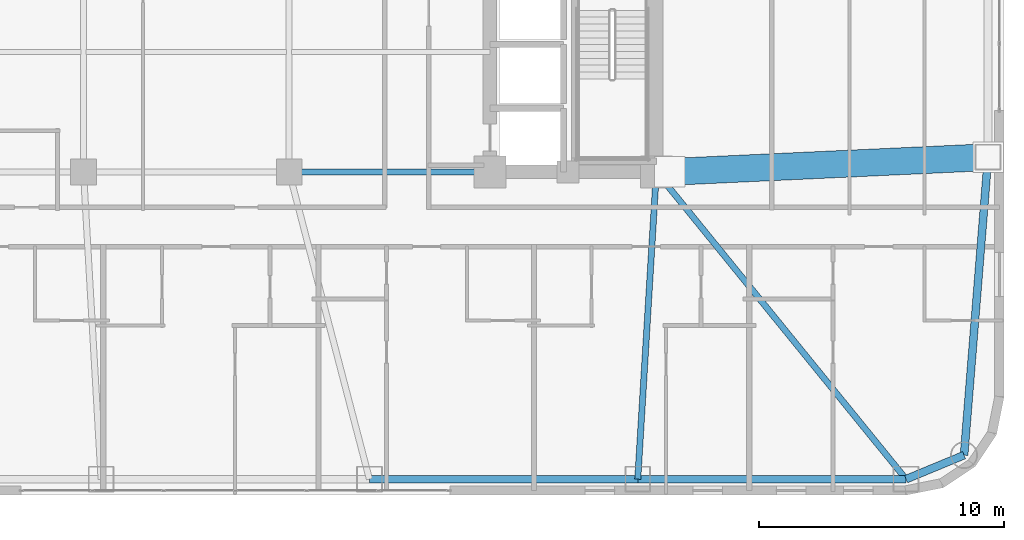
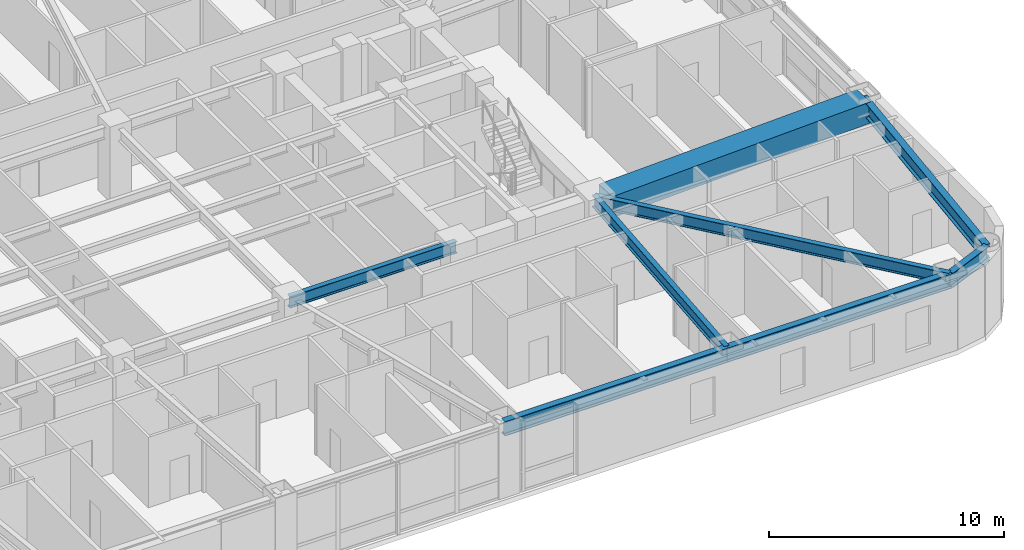
# One storey, part 11 of 28: 8 beams.
"""IFC4 building model written with IfcOpenShell, lengths in metres."""

import ifcopenshell
import ifcopenshell.guid

model = None  # the IFC model being written
_history = None  # IfcOwnerHistory: only IFC2X3 demands one
_inside = {}  # id of a spatial element -> (the spatial element, [elements in it])
_under = {}  # id of a project, library or spatial element -> (it, [spatial elements below it])
_declared = {}  # id of a project -> (the project, [libraries it declares])
_typed = {}  # id of a type object -> (the type object, [elements of that type])
_made_of = {}  # id of a material, layer set ... -> (it, [elements and type objects made of it])


def new_model(schema):
    """Start an empty IFC model of exactly this schema.

    Asked for "IFC4X3", IfcOpenShell would pick the latest addendum, in which some entities
    have other attributes; the version numbers below select the first issue.
    IFC2X3 requires an IfcOwnerHistory on every rooted entity: one is made here for all.
    """
    global model, _history
    if schema == "IFC4X3":
        model = ifcopenshell.file(schema_version=(4, 3, 0, 0))
    else:
        model = ifcopenshell.file(schema=schema)
    _inside.clear()
    _under.clear()
    _declared.clear()
    _typed.clear()
    _made_of.clear()
    _history = None
    if model.schema == "IFC2X3":
        org = make("IfcOrganization", Name="unknown")
        user = make(
            "IfcPersonAndOrganization",
            ThePerson=make("IfcPerson", FamilyName="unknown"),
            TheOrganization=org,
        )
        app = make(
            "IfcApplication",
            ApplicationDeveloper=org,
            Version="unknown",
            ApplicationFullName="unknown",
            ApplicationIdentifier="unknown",
        )
        _history = make(
            "IfcOwnerHistory",
            OwningUser=user,
            OwningApplication=app,
            ChangeAction="ADDED",
            CreationDate=0,
        )
    return model


def make(cls, **values):
    """One entity of the class cls with the attributes given. An attribute that is None is left unset."""
    return model.create_entity(
        cls, **{name: value for name, value in values.items() if value is not None}
    )


def rooted(cls, **values):
    """An entity with a GlobalId (a new one), such as an element, a storey or a relation."""
    return make(cls, GlobalId=ifcopenshell.guid.new(), OwnerHistory=_history, **values)


def si_unit(unit_type, name, prefix=None):
    """IfcSIUnit, for example si_unit("LENGTHUNIT", "METRE", prefix="MILLI")."""
    return make("IfcSIUnit", UnitType=unit_type, Prefix=prefix, Name=name)


def assignment(units):
    """IfcUnitAssignment: the units of a project."""
    return None if units is None else make("IfcUnitAssignment", Units=units)


def point(xyz):
    """IfcCartesianPoint."""
    return None if xyz is None else make("IfcCartesianPoint", Coordinates=xyz)


def direction(xyz):
    """IfcDirection."""
    return None if xyz is None else make("IfcDirection", DirectionRatios=xyz)


def frame(location, z_axis=None, x_axis=None):
    """IfcAxis2Placement3D, a coordinate frame: its origin and axes. An axis left out is left unset."""
    return make(
        "IfcAxis2Placement3D",
        Location=point(location),
        Axis=direction(z_axis),
        RefDirection=direction(x_axis),
    )


def frame_2d(location, x_axis=None):
    """IfcAxis2Placement2D, a coordinate frame in the plane: its origin and x axis."""
    return make(
        "IfcAxis2Placement2D", Location=point(location), RefDirection=direction(x_axis)
    )


def origin():
    """The frame at (0, 0, 0) with its axes left unset."""
    return frame((0.0, 0.0, 0.0))


def origin_2d():
    """The frame at (0, 0) in the plane with its x axis left unset."""
    return frame_2d((0.0, 0.0))


def place(relative_to, where):
    """IfcLocalPlacement: puts the frame where relative to a parent placement (None: the world)."""
    return make(
        "IfcLocalPlacement", PlacementRelTo=relative_to, RelativePlacement=where
    )


def context(
    kind, dimensions, precision=None, world=None, true_north=None, identifier=None
):
    """IfcGeometricRepresentationContext, for example the 3D "Model" context."""
    return make(
        "IfcGeometricRepresentationContext",
        ContextIdentifier=identifier,
        ContextType=kind,
        CoordinateSpaceDimension=dimensions,
        Precision=precision,
        WorldCoordinateSystem=world,
        TrueNorth=true_north,
    )


def subcontext(parent, identifier, kind, view, scale=None):
    """IfcGeometricRepresentationSubContext, for example "Body" below "Model"."""
    return make(
        "IfcGeometricRepresentationSubContext",
        ContextIdentifier=identifier,
        ContextType=kind,
        ParentContext=parent,
        TargetScale=scale,
        TargetView=view,
    )


def project(units=None, contexts=None):
    """IfcProject with its units and contexts."""
    return rooted(
        "IfcProject",
        Name="project",
        RepresentationContexts=contexts,
        UnitsInContext=assignment(units),
    )


def spatial(cls, under=None, at=None, **own):
    """A site, building, storey or space (cls), placed at a placement, below another one or the project."""
    s = rooted(cls, ObjectPlacement=at, **own)
    if under is not None:
        _under.setdefault(under.id(), (under, []))[1].append(s)
    return s


def profile(cls, at=None, kind="AREA", **sizes):
    """A parametric profile (cls). Its sizes go by their IFC names, for example OverallWidth=200.0."""
    return make(cls, ProfileType=kind, Position=at, **sizes)


def hollow_rectangle(**sizes):
    """IfcRectangleHollowProfileDef."""
    return profile("IfcRectangleHollowProfileDef", **sizes)


def i_section(**sizes):
    """IfcIShapeProfileDef."""
    return profile("IfcIShapeProfileDef", **sizes)


def extrude(swept, where, along, depth):
    """IfcExtrudedAreaSolid: the profile swept, set in the frame where, extruded along a direction by depth."""
    return make(
        "IfcExtrudedAreaSolid",
        SweptArea=swept,
        Position=where,
        ExtrudedDirection=direction(along),
        Depth=depth,
    )


def shape(context_of_items, identifier, shape_type, items):
    """IfcShapeRepresentation: the items that make up one representation, for example the "Body"."""
    return make(
        "IfcShapeRepresentation",
        ContextOfItems=context_of_items,
        RepresentationIdentifier=identifier,
        RepresentationType=shape_type,
        Items=items,
    )


def material(Name=None, Category=None):
    """IfcMaterial."""
    return make("IfcMaterial", Name=Name, Category=Category)


def material_profile(
    of_material, cross_section, Name=None, Category=None, Priority=None
):
    """IfcMaterialProfile: a cross section and its material."""
    return make(
        "IfcMaterialProfile",
        Name=Name,
        Material=of_material,
        Profile=cross_section,
        Priority=Priority,
        Category=Category,
    )


def profile_set(profiles, Name=None, composite=None):
    """IfcMaterialProfileSet."""
    return make(
        "IfcMaterialProfileSet",
        Name=Name,
        MaterialProfiles=profiles,
        CompositeProfile=composite,
    )


def made_of(thing, what):
    """Note that an element or type object is made of a material, layer set ...; save() writes the relation."""
    if what is not None:
        _made_of.setdefault(what.id(), (what, []))[1].append(thing)
    return thing


def type_object(cls, material=None, **own):
    """A type object (cls), such as IfcWallType, which elements share."""
    return made_of(rooted(cls, **own), material)


def element(
    cls,
    number,
    at=None,
    inside=None,
    cuts=None,
    type_object=None,
    material=None,
    context=None,
    identifier="Body",
    shape_type=None,
    held_by="IfcProductDefinitionShape",
    body=None,
    shapes=None,
    **own,
):
    """One element of the class cls, such as IfcWall. Its Tag is "e" and its number.

    at: its placement. inside: the storey or other place that contains it. cuts: it is an
    opening in that element (IfcRelVoidsElement). A single representation is given by context,
    identifier, shape_type and body (its items); several are given by shapes. held_by: the class
    of the entity that holds the representations. save() writes the other relations.
    """
    e = rooted(cls, Tag="e%d" % number, ObjectPlacement=at, **own)
    if body is not None:
        shapes = [shape(context, identifier, shape_type, body)]
    if shapes is not None:
        e.Representation = make(held_by, Representations=shapes)
    if inside is not None:
        _inside.setdefault(inside.id(), (inside, []))[1].append(e)
    if cuts is not None:
        rooted(
            "IfcRelVoidsElement", RelatingBuildingElement=cuts, RelatedOpeningElement=e
        )
    if type_object is not None:
        _typed.setdefault(type_object.id(), (type_object, []))[1].append(e)
    return made_of(e, material)


def aggregate(whole, parts):
    """IfcRelAggregates: a whole, such as a stair, and the parts it consists of."""
    return rooted("IfcRelAggregates", RelatingObject=whole, RelatedObjects=parts)


def save(model, path):
    """Write the relations noted so far, then the file.

    IfcRelAggregates (storeys below a building ...), IfcRelContainedInSpatialStructure (elements
    in a storey), IfcRelDefinesByType, IfcRelAssociatesMaterial and IfcRelDeclares: one each for
    every whole, place, type object, material and project.
    """
    for whole, parts in _under.values():
        aggregate(whole, parts)
    for where, things in _inside.values():
        rooted(
            "IfcRelContainedInSpatialStructure",
            RelatedElements=things,
            RelatingStructure=where,
        )
    for kind, things in _typed.values():
        rooted("IfcRelDefinesByType", RelatedObjects=things, RelatingType=kind)
    for what, things in _made_of.values():
        rooted("IfcRelAssociatesMaterial", RelatedObjects=things, RelatingMaterial=what)
    for by, libraries in _declared.values():
        rooted("IfcRelDeclares", RelatingContext=by, RelatedDefinitions=libraries)
    model.write(path)


model = new_model("IFC4")

# Units and contexts
model_context = context("Model", 3, precision=1e-05, world=origin(), true_north=direction((0.0, 1.0)))
body_context = subcontext(model_context, "Body", "Model", "MODEL_VIEW")
ifc_project = project(units=[si_unit("LENGTHUNIT", "METRE"), si_unit("AREAUNIT", "SQUARE_METRE"), si_unit("VOLUMEUNIT", "CUBIC_METRE"), si_unit("PLANEANGLEUNIT", "RADIAN"), si_unit("MASSUNIT", "GRAM", prefix="KILO")], contexts=[model_context])

# Site, building, storey
site_placement = place(None, origin())
site = spatial("IfcSite", under=ifc_project, at=site_placement, CompositionType="ELEMENT")
building_placement = place(site_placement, origin())
building = spatial("IfcBuilding", under=site, at=building_placement, Name="Voryun Gate Residences", CompositionType="ELEMENT")
storey_placement = place(building_placement, frame((0.0, 0.0, 117.0)))
storey = spatial("IfcBuildingStorey", under=building, at=storey_placement, Name="L28", CompositionType="ELEMENT", Elevation=117.0)

# Beams
ifc_material_1 = material(Name="Steel SM420", Category="steel")
ifc_material_profile_1 = material_profile(ifc_material_1, hollow_rectangle(XDim=1.10009765625, YDim=1.10009765625, WallThickness=0.035888671875, at=origin_2d()), Name="BOX-1100x1100x36")
ifc_profile_set_1 = profile_set([ifc_material_profile_1], Name="Steel SM420")
beam_type_1 = type_object("IfcBeamType", Name="BM_ARCH_RIB", PredefinedType="USERDEFINED", material=ifc_profile_set_1)
beam_1_placement = place(storey_placement, frame((19.75, -7.39990234375, 3.10009765625), z_axis=(0.998930206616, 0.046243294759, 0.0), x_axis=(-0.046243294759, 0.998930206616, 0.0)))
element("IfcBeam", 1, at=beam_1_placement, inside=storey, type_object=beam_type_1, Name="BM-L28-RAD-E1", ObjectType="GIRDER", PredefinedType="USERDEFINED", context=body_context, shape_type="SweptSolid", body=[
    extrude(hollow_rectangle(XDim=1.10009765625, YDim=1.10009765625, WallThickness=0.035888671875, at=origin_2d()), origin(), (0.0, 0.0, 1.0), 13.013916015625),
])
ifc_material_2 = material(Name="Steel SM355", Category="steel")
ifc_material_profile_2 = material_profile(ifc_material_2, i_section(OverallWidth=0.320068359375, OverallDepth=0.75, WebThickness=0.01611328125, FlangeThickness=0.028076171875, FilletRadius=0.01806640625, at=origin_2d()), Name="H-750x320x16x28")
ifc_profile_set_2 = profile_set([ifc_material_profile_2], Name="Steel SM355")
beam_type_2 = type_object("IfcBeamType", Name="BM_EXO_SPANDREL_L", PredefinedType="SPANDREL", material=ifc_profile_set_2)
for number, where, z_axis, x_axis, name in (
    (2, (7.47998046875, -19.949951171875, 3.27490234375), (1.0, 0.0, 0.0), (0.0, 1.0, 0.0), "BM-L28-SPAND-04"),
    (3, (18.43994140625, -19.949951171875, 3.27490234375), (1.0, 0.0, 0.0), (0.0, 1.0, 0.0), "BM-L28-SPAND-05"),
):
    element("IfcBeam", number, at=place(storey_placement, frame(where, z_axis=z_axis, x_axis=x_axis)), inside=storey, type_object=beam_type_2, Name=name, PredefinedType="SPANDREL", context=body_context, shape_type="SweptSolid", body=[
        extrude(i_section(OverallWidth=0.320068359375, OverallDepth=0.75, WebThickness=0.01611328125, FlangeThickness=0.028076171875, FilletRadius=0.01806640625, at=origin_2d()), origin(), (0.0, 0.0, 1.0), 10.9599609375),
    ])
beam_2_placement = place(storey_placement, frame((29.39990234375, -19.949951171875, 3.27490234375), z_axis=(0.923883376753, 0.382674151414, 0.0), x_axis=(-0.382674151414, 0.923883376753, 0.0)))
element("IfcBeam", 4, at=beam_2_placement, inside=storey, type_object=beam_type_2, Name="BM-L28-SPAND-06", PredefinedType="SPANDREL", context=body_context, shape_type="SweptSolid", body=[
    extrude(i_section(OverallWidth=0.320068359375, OverallDepth=0.75, WebThickness=0.01611328125, FlangeThickness=0.028076171875, FilletRadius=0.01806640625, at=origin_2d()), origin(), (0.0, 0.0, 1.0), 2.56396484375),
])
beam_3_placement = place(storey_placement, frame((31.768798828125, -18.96875, 3.27490234375), z_axis=(0.080359517973, 0.996765944378, 0.0), x_axis=(-0.996765944378, 0.080359517973, 0.0)))
element("IfcBeam", 5, at=beam_3_placement, inside=storey, type_object=beam_type_2, Name="BM-L28-SPAND-07", PredefinedType="SPANDREL", context=body_context, shape_type="SweptSolid", body=[
    extrude(i_section(OverallWidth=0.320068359375, OverallDepth=0.75, WebThickness=0.01611328125, FlangeThickness=0.028076171875, FilletRadius=0.01806640625, at=origin_2d()), origin(), (0.0, 0.0, 1.0), 12.210205078125),
])
ifc_material_3 = material(Name="Steel SM355", Category="steel")
ifc_material_profile_3 = material_profile(ifc_material_3, i_section(OverallWidth=0.25, OverallDepth=0.60009765625, WebThickness=0.011962890625, FlangeThickness=0.02197265625, FilletRadius=0.01806640625, at=origin_2d()), Name="H-600x250x12x22")
ifc_profile_set_3 = profile_set([ifc_material_profile_3], Name="Steel SM355")
beam_type_3 = type_object("IfcBeamType", Name="BM_GIRD_600", PredefinedType="USERDEFINED", material=ifc_profile_set_3)
beam_4_placement = place(storey_placement, frame((4.199951171875, -7.39990234375, 3.35009765625), z_axis=(1.0, 0.0, 0.0), x_axis=(0.0, 1.0, 0.0)))
element("IfcBeam", 6, at=beam_4_placement, inside=storey, type_object=beam_type_3, Name="BM-L28-SPG3-S", ObjectType="GIRDER", PredefinedType="USERDEFINED", context=body_context, shape_type="SweptSolid", body=[
    extrude(i_section(OverallWidth=0.25, OverallDepth=0.60009765625, WebThickness=0.011962890625, FlangeThickness=0.02197265625, FilletRadius=0.01806640625, at=origin_2d()), origin(), (0.0, 0.0, 1.0), 8.199951171875),
])
beam_5_placement = place(storey_placement, frame((19.199951171875, -7.39990234375, 3.35009765625), z_axis=(-0.060447572917, -0.998171373527, 0.0), x_axis=(0.998171373527, -0.060447572917, 0.0)))
element("IfcBeam", 7, at=beam_5_placement, inside=storey, type_object=beam_type_3, Name="BM-L28-RAD-S5", ObjectType="GIRDER", PredefinedType="USERDEFINED", context=body_context, shape_type="SweptSolid", body=[
    extrude(i_section(OverallWidth=0.25, OverallDepth=0.60009765625, WebThickness=0.011962890625, FlangeThickness=0.02197265625, FilletRadius=0.01806640625, at=origin_2d()), origin(), (0.0, 0.0, 1.0), 12.572998046875),
])
beam_6_placement = place(storey_placement, frame((19.199951171875, -7.39990234375, 3.35009765625), z_axis=(0.63070571586, -0.776022100189, 0.0), x_axis=(0.776022100189, 0.63070571586, 0.0)))
element("IfcBeam", 8, at=beam_6_placement, inside=storey, type_object=beam_type_3, Name="BM-L28-RAD-S6", ObjectType="GIRDER", PredefinedType="USERDEFINED", context=body_context, shape_type="SweptSolid", body=[
    extrude(i_section(OverallWidth=0.25, OverallDepth=0.60009765625, WebThickness=0.011962890625, FlangeThickness=0.02197265625, FilletRadius=0.01806640625, at=origin_2d()), origin(), (0.0, 0.0, 1.0), 16.17236328125),
])

save(model, "model.ifc")
